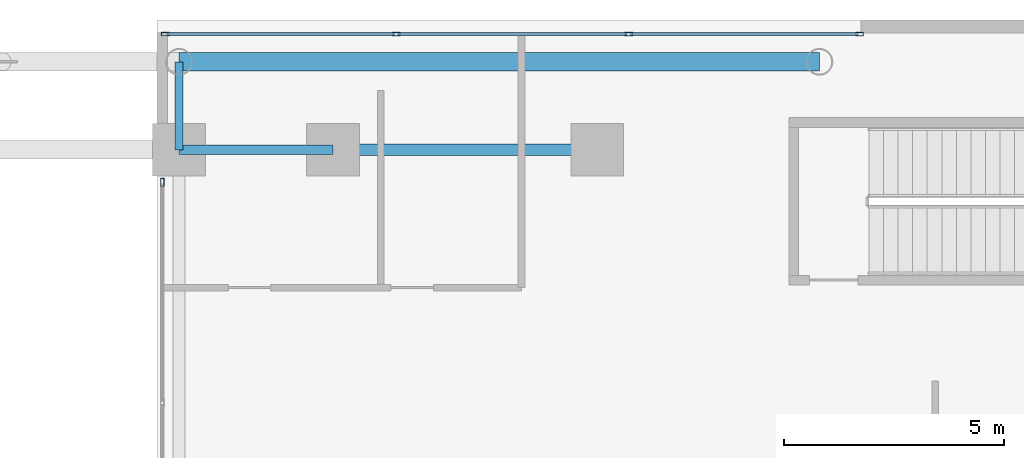
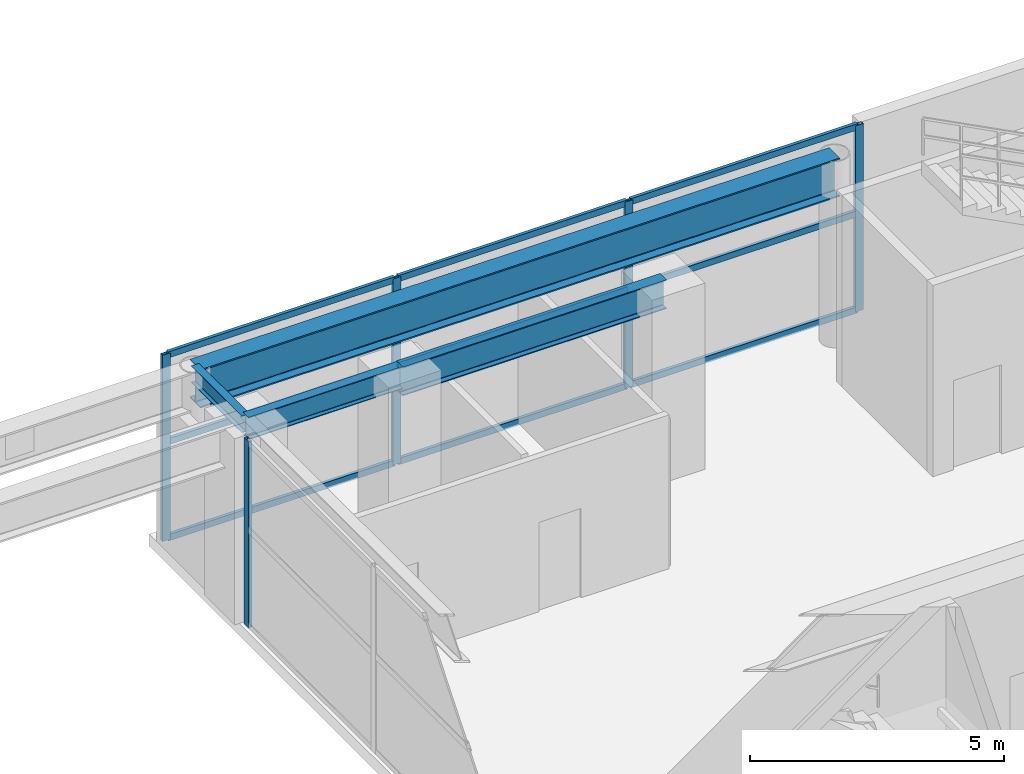
# One storey, part 19 of 30: 14 members, 4 beams, 2 elements without a shape of their own.
"""IFC4 building model written with IfcOpenShell, lengths in metres."""

from ifc_helpers import new_model, si_unit, direction, frame, origin, origin_2d, place, context, subcontext, project, spatial, hollow_rectangle, i_section, extrude, source, transform, mapped, material, layer, layer_set, material_profile, profile_set, type_object, element, aggregate, save


model = new_model("IFC4")

# Units and contexts
model_context = context("Model", 3, precision=1e-05, world=origin(), true_north=direction((0.0, 1.0)))
body_context = subcontext(model_context, "Body", "Model", "MODEL_VIEW")
ifc_project = project(units=[si_unit("LENGTHUNIT", "METRE"), si_unit("AREAUNIT", "SQUARE_METRE"), si_unit("VOLUMEUNIT", "CUBIC_METRE"), si_unit("PLANEANGLEUNIT", "RADIAN"), si_unit("MASSUNIT", "GRAM", prefix="KILO")], contexts=[model_context])

# Site, building, storey
site_placement = place(None, origin())
site = spatial("IfcSite", under=ifc_project, at=site_placement, CompositionType="ELEMENT")
building_placement = place(site_placement, origin())
building = spatial("IfcBuilding", under=site, at=building_placement, Name="Ocotamira Hotel", CompositionType="ELEMENT")
storey_placement = place(building_placement, frame((0.0, 0.0, 19.199951171875)))
storey = spatial("IfcBuildingStorey", under=building, at=storey_placement, Name="L04", CompositionType="ELEMENT", Elevation=19.199951171875)

# Beams
ifc_material_1 = material(Name="Steel ASTM A992 Grade 50", Category="steel")
ifc_material_profile_1 = material_profile(ifc_material_1, i_section(OverallWidth=0.41796875, OverallDepth=0.927001953125, WebThickness=0.019287109375, FlangeThickness=0.031982421875, FilletRadius=0.02392578125, at=origin_2d()), Name="W36X231")
ifc_profile_set_1 = profile_set([ifc_material_profile_1], Name="Steel ASTM A992 Grade 50")
beam_type_1 = type_object("IfcBeamType", Name="BM-GIRD-W36X231", PredefinedType="BEAM", material=ifc_profile_set_1)
shared_shape_1 = source(origin(), body_context, "Body", "SweptSolid", [
    extrude(i_section(OverallWidth=0.41796875, OverallDepth=0.927001953125, WebThickness=0.019287109375, FlangeThickness=0.031982421875, FilletRadius=0.02392578125, at=origin_2d()), origin(), (0.0, 0.0, 1.0), 14.550048828125),
])
beam_1_placement = place(storey_placement, frame((40.5, 51.050048828125, 4.0166015625), z_axis=(1.0, 0.0, 0.0), x_axis=(0.0, 1.0, 0.0)))
element("IfcBeam", 1, at=beam_1_placement, inside=storey, type_object=beam_type_1, Name="L04 Girder Y51.05 X40.5-55.05", PredefinedType="BEAM", context=body_context, shape_type="MappedRepresentation", body=[
    mapped(shared_shape_1, transform((0.0, 0.0, 0.0), scale=1.0)),
])
ifc_material_profile_2 = material_profile(ifc_material_1, i_section(OverallWidth=0.256103515625, OverallDepth=0.693115234375, WebThickness=0.014404296875, FlangeThickness=0.023681640625, FilletRadius=0.01611328125, at=origin_2d()), Name="W27X114")
ifc_profile_set_2 = profile_set([ifc_material_profile_2], Name="Steel ASTM A992 Grade 50")
beam_type_2 = type_object("IfcBeamType", Name="BM-PRIM-W27X114", PredefinedType="BEAM", material=ifc_profile_set_2)
shared_shape_2 = source(origin(), body_context, "Body", "SweptSolid", [
    extrude(i_section(OverallWidth=0.256103515625, OverallDepth=0.693115234375, WebThickness=0.014404296875, FlangeThickness=0.023681640625, FilletRadius=0.01611328125, at=origin_2d()), origin(), (0.0, 0.0, 1.0), 6.0),
])
beam_2_placement = place(storey_placement, frame((44.0, 49.050048828125, 4.133544921875), z_axis=(1.0, 0.0, 0.0), x_axis=(0.0, 1.0, 0.0)))
element("IfcBeam", 2, at=beam_2_placement, inside=storey, type_object=beam_type_2, Name="L04 Girder Y49.05 X44-50", PredefinedType="BEAM", context=body_context, shape_type="MappedRepresentation", body=[
    mapped(shared_shape_2, transform((0.0, 0.0, 0.0), scale=1.0)),
])
ifc_material_profile_3 = material_profile(ifc_material_1, i_section(OverallWidth=0.2099609375, OverallDepth=0.537109375, WebThickness=0.010986328125, FlangeThickness=0.017333984375, FilletRadius=0.012939453125, at=origin_2d()), Name="W21X68")
ifc_profile_set_3 = profile_set([ifc_material_profile_3], Name="Steel ASTM A992 Grade 50")
beam_type_3 = type_object("IfcBeamType", Name="BM-SEC-W21X68", PredefinedType="JOIST", material=ifc_profile_set_3)
shared_shape_3 = source(origin(), body_context, "Body", "SweptSolid", [
    extrude(i_section(OverallWidth=0.2099609375, OverallDepth=0.537109375, WebThickness=0.010986328125, FlangeThickness=0.017333984375, FilletRadius=0.012939453125, at=origin_2d()), origin(), (0.0, 0.0, 1.0), 3.5),
])
beam_3_placement = place(storey_placement, frame((40.5, 49.050048828125, 4.211669921875), z_axis=(1.0, 0.0, 0.0), x_axis=(0.0, 1.0, 0.0)))
element("IfcBeam", 3, at=beam_3_placement, inside=storey, type_object=beam_type_3, Name="L04 Girder Y49.05 X40.5-44", PredefinedType="JOIST", context=body_context, shape_type="MappedRepresentation", body=[
    mapped(shared_shape_3, transform((0.0, 0.0, 0.0), scale=1.0)),
])
ifc_material_profile_4 = material_profile(ifc_material_1, i_section(OverallWidth=0.177978515625, OverallDepth=0.403076171875, WebThickness=0.007568359375, FlangeThickness=0.010986328125, FilletRadius=0.010009765625, at=origin_2d()), Name="W16X36")
ifc_profile_set_4 = profile_set([ifc_material_profile_4], Name="Steel ASTM A992 Grade 50")
beam_type_4 = type_object("IfcBeamType", Name="BM-SEC-W16X36", PredefinedType="JOIST", material=ifc_profile_set_4)
shared_shape_4 = source(origin(), body_context, "Body", "SweptSolid", [
    extrude(i_section(OverallWidth=0.177978515625, OverallDepth=0.403076171875, WebThickness=0.007568359375, FlangeThickness=0.010986328125, FilletRadius=0.010009765625, at=origin_2d()), origin(), (0.0, 0.0, 1.0), 2.0),
])
beam_4_placement = place(storey_placement, frame((40.5, 49.050048828125, 4.278564453125), z_axis=(0.0, 1.0, 0.0), x_axis=(-1.0, 0.0, 0.0)))
element("IfcBeam", 4, at=beam_4_placement, inside=storey, type_object=beam_type_4, Name="L04 Beam X40.5 Y49.05-51.05", PredefinedType="JOIST", context=body_context, shape_type="MappedRepresentation", body=[
    mapped(shared_shape_4, transform((0.0, 0.0, 0.0), scale=1.0)),
])

# Curtain wall, members
ifc_material_2 = material(Name="Anodised pale-metal aluminium and solar glass", Category="aluminium")
ifc_layer = layer(ifc_material_2, 0.219970703125)
ifc_layer_set = layer_set([ifc_layer], Name="Anodised pale-metal aluminium and solar glass")
curtain_wall_type = type_object("IfcCurtainWallType", Name="CW-SYS1-POD", PredefinedType="NOTDEFINED", material=ifc_layer_set)
curtain_wall_1_placement = place(storey_placement, origin())
curtain_wall_1 = element("IfcCurtainWall", 5, at=curtain_wall_1_placement, inside=storey, type_object=curtain_wall_type, Name="L04 Curtain Wall CW-1 CW-L04-NE", PredefinedType="NOTDEFINED")
ifc_material_3 = material(Name="Anodised pale-metal aluminium 6063-T6", Category="aluminium")
ifc_material_profile_5 = material_profile(ifc_material_3, hollow_rectangle(XDim=0.074951171875, YDim=0.14990234375, WallThickness=0.006103515625, at=origin_2d()), Name="HSS150X75X6")
ifc_profile_set_5 = profile_set([ifc_material_profile_5], Name="Anodised pale-metal aluminium 6063-T6")
member_type_1 = type_object("IfcMemberType", Name="CWT-150X75", PredefinedType="USERDEFINED", material=ifc_profile_set_5)
shared_shape_5 = source(origin(), body_context, "Body", "SweptSolid", [
    extrude(hollow_rectangle(XDim=0.074951171875, YDim=0.14990234375, WallThickness=0.006103515625, at=origin_2d()), origin(), (0.0, 0.0, 1.0), 5.163330078125),
])
member_1_placement = place(storey_placement, frame((40.22998046875, 51.679931640625, 0.03759765625), z_axis=(1.0, 0.0, 0.0), x_axis=(0.0, 1.0, 0.0)))
member_1 = element("IfcMember", 6, at=member_1_placement, type_object=member_type_1, Name="CW-1 transom 1.1", ObjectType="TRANSOM", PredefinedType="USERDEFINED", context=body_context, shape_type="MappedRepresentation", body=[
    mapped(shared_shape_5, transform((0.0, 0.0, 0.0), scale=1.0)),
])
member_2_placement = place(storey_placement, frame((40.22998046875, 51.679931640625, 2.35009765625), z_axis=(1.0, 0.0, 0.0), x_axis=(0.0, 1.0, 0.0)))
member_2 = element("IfcMember", 7, at=member_2_placement, type_object=member_type_1, Name="CW-1 transom 1.2", ObjectType="TRANSOM", PredefinedType="USERDEFINED", context=body_context, shape_type="MappedRepresentation", body=[
    mapped(shared_shape_5, transform((0.0, 0.0, 0.0), scale=1.0)),
])
member_3_placement = place(storey_placement, frame((40.22998046875, 51.679931640625, 4.442626953125), z_axis=(1.0, 0.0, 0.0), x_axis=(0.0, 1.0, 0.0)))
member_3 = element("IfcMember", 8, at=member_3_placement, type_object=member_type_1, Name="CW-1 transom 1.3", ObjectType="TRANSOM", PredefinedType="USERDEFINED", context=body_context, shape_type="MappedRepresentation", body=[
    mapped(shared_shape_5, transform((0.0, 0.0, 0.0), scale=1.0)),
])
member_4_placement = place(storey_placement, frame((50.756591796875, 51.679931640625, 0.03759765625), z_axis=(1.0, 0.0, 0.0), x_axis=(0.0, 1.0, 0.0)))
member_4 = element("IfcMember", 9, at=member_4_placement, type_object=member_type_1, Name="CW-1 transom 3.1", ObjectType="TRANSOM", PredefinedType="USERDEFINED", context=body_context, shape_type="MappedRepresentation", body=[
    mapped(shared_shape_5, transform((0.0, 0.0, 0.0), scale=1.0)),
])
member_5_placement = place(storey_placement, frame((50.756591796875, 51.679931640625, 2.35009765625), z_axis=(1.0, 0.0, 0.0), x_axis=(0.0, 1.0, 0.0)))
member_5 = element("IfcMember", 10, at=member_5_placement, type_object=member_type_1, Name="CW-1 transom 3.2", ObjectType="TRANSOM", PredefinedType="USERDEFINED", context=body_context, shape_type="MappedRepresentation", body=[
    mapped(shared_shape_5, transform((0.0, 0.0, 0.0), scale=1.0)),
])
member_6_placement = place(storey_placement, frame((50.756591796875, 51.679931640625, 4.442626953125), z_axis=(1.0, 0.0, 0.0), x_axis=(0.0, 1.0, 0.0)))
member_6 = element("IfcMember", 11, at=member_6_placement, type_object=member_type_1, Name="CW-1 transom 3.3", ObjectType="TRANSOM", PredefinedType="USERDEFINED", context=body_context, shape_type="MappedRepresentation", body=[
    mapped(shared_shape_5, transform((0.0, 0.0, 0.0), scale=1.0)),
])
shared_shape_6 = source(origin(), body_context, "Body", "SweptSolid", [
    extrude(hollow_rectangle(XDim=0.074951171875, YDim=0.14990234375, WallThickness=0.006103515625, at=origin_2d()), origin(), (0.0, 0.0, 1.0), 5.203369140625),
])
member_7_placement = place(storey_placement, frame((45.473388671875, 51.679931640625, 0.03759765625), z_axis=(1.0, 0.0, 0.0), x_axis=(0.0, 1.0, 0.0)))
member_7 = element("IfcMember", 12, at=member_7_placement, type_object=member_type_1, Name="CW-1 transom 2.1", ObjectType="TRANSOM", PredefinedType="USERDEFINED", context=body_context, shape_type="MappedRepresentation", body=[
    mapped(shared_shape_6, transform((0.0, 0.0, 0.0), scale=1.0)),
])
member_8_placement = place(storey_placement, frame((45.473388671875, 51.679931640625, 2.35009765625), z_axis=(1.0, 0.0, 0.0), x_axis=(0.0, 1.0, 0.0)))
member_8 = element("IfcMember", 13, at=member_8_placement, type_object=member_type_1, Name="CW-1 transom 2.2", ObjectType="TRANSOM", PredefinedType="USERDEFINED", context=body_context, shape_type="MappedRepresentation", body=[
    mapped(shared_shape_6, transform((0.0, 0.0, 0.0), scale=1.0)),
])
member_9_placement = place(storey_placement, frame((45.473388671875, 51.679931640625, 4.442626953125), z_axis=(1.0, 0.0, 0.0), x_axis=(0.0, 1.0, 0.0)))
member_9 = element("IfcMember", 14, at=member_9_placement, type_object=member_type_1, Name="CW-1 transom 2.3", ObjectType="TRANSOM", PredefinedType="USERDEFINED", context=body_context, shape_type="MappedRepresentation", body=[
    mapped(shared_shape_6, transform((0.0, 0.0, 0.0), scale=1.0)),
])
ifc_material_profile_6 = material_profile(ifc_material_3, hollow_rectangle(XDim=0.080078125, YDim=0.179931640625, WallThickness=0.006103515625, at=origin_2d()), Name="HSS180X80X6")
ifc_profile_set_6 = profile_set([ifc_material_profile_6], Name="Anodised pale-metal aluminium 6063-T6")
member_type_2 = type_object("IfcMemberType", Name="CWM-180X75", PredefinedType="MULLION", material=ifc_profile_set_6)
shared_shape_7 = source(origin(), body_context, "Body", "SweptSolid", [
    extrude(hollow_rectangle(XDim=0.080078125, YDim=0.179931640625, WallThickness=0.006103515625, at=origin_2d()), origin(), (0.0, 0.0, 1.0), 4.47998046875),
])
member_10_placement = place(storey_placement, frame((40.18994140625, 51.679931640625, 0.0), z_axis=(0.0, 0.0, 1.0), x_axis=(0.0, 1.0, 0.0)))
member_10 = element("IfcMember", 15, at=member_10_placement, type_object=member_type_2, Name="CW-1 mullion 1", PredefinedType="MULLION", context=body_context, shape_type="MappedRepresentation", body=[
    mapped(shared_shape_7, transform((0.0, 0.0, 0.0), scale=1.0)),
])
member_11_placement = place(storey_placement, frame((45.433349609375, 51.679931640625, 0.0), z_axis=(0.0, 0.0, 1.0), x_axis=(0.0, 1.0, 0.0)))
member_11 = element("IfcMember", 16, at=member_11_placement, type_object=member_type_2, Name="CW-1 mullion 2", PredefinedType="MULLION", context=body_context, shape_type="MappedRepresentation", body=[
    mapped(shared_shape_7, transform((0.0, 0.0, 0.0), scale=1.0)),
])
member_12_placement = place(storey_placement, frame((50.716552734375, 51.679931640625, 0.0), z_axis=(0.0, 0.0, 1.0), x_axis=(0.0, 1.0, 0.0)))
member_12 = element("IfcMember", 17, at=member_12_placement, type_object=member_type_2, Name="CW-1 mullion 3", PredefinedType="MULLION", context=body_context, shape_type="MappedRepresentation", body=[
    mapped(shared_shape_7, transform((0.0, 0.0, 0.0), scale=1.0)),
])
member_13_placement = place(storey_placement, frame((55.9599609375, 51.679931640625, 0.0), z_axis=(0.0, 0.0, 1.0), x_axis=(0.0, 1.0, 0.0)))
member_13 = element("IfcMember", 18, at=member_13_placement, type_object=member_type_2, Name="CW-1 mullion 4", PredefinedType="MULLION", context=body_context, shape_type="MappedRepresentation", body=[
    mapped(shared_shape_7, transform((0.0, 0.0, 0.0), scale=1.0)),
])
aggregate(curtain_wall_1, [member_10, member_11, member_12, member_13, member_1, member_2, member_3, member_7, member_8, member_9, member_4, member_5, member_6])

# Curtain wall, member
curtain_wall_2_placement = place(storey_placement, origin())
curtain_wall_2 = element("IfcCurtainWall", 19, at=curtain_wall_2_placement, inside=storey, type_object=curtain_wall_type, Name="L04 Curtain Wall CW-1 CW-L04-AE-N", PredefinedType="NOTDEFINED")
member_14_placement = place(storey_placement, frame((40.1201171875, 48.31005859375, 0.0), z_axis=(0.0, 0.0, 1.0), x_axis=(-1.0, 0.0, 0.0)))
member_14 = element("IfcMember", 20, at=member_14_placement, type_object=member_type_2, Name="CW-1 mullion 3", PredefinedType="MULLION", context=body_context, shape_type="MappedRepresentation", body=[
    mapped(shared_shape_7, transform((0.0, 0.0, 0.0), scale=1.0)),
])
aggregate(curtain_wall_2, [member_14])

save(model, "model.ifc")
